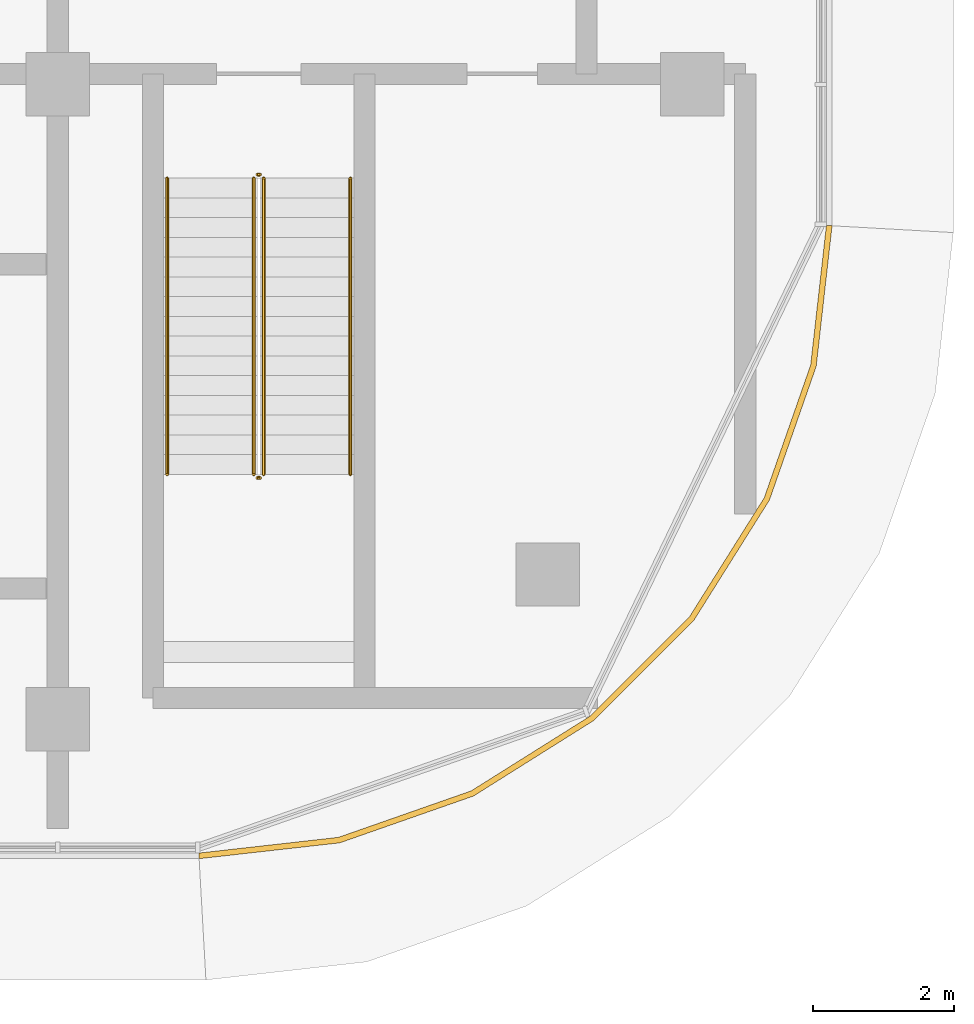
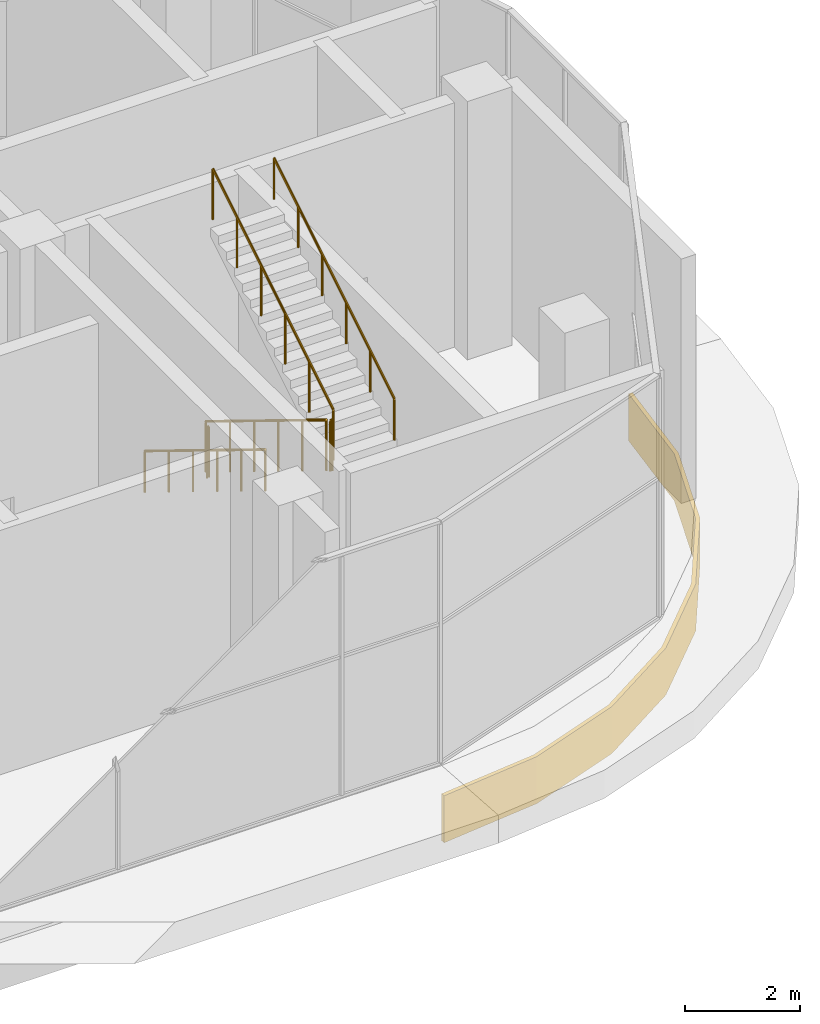
# One storey, part 22 of 23: 6 railings, 1 covering.
"""IFC4 building model written with IfcOpenShell, lengths in metres."""

from ifc_helpers import new_model, si_unit, direction, frame, origin, origin_2d, place, context, subcontext, project, spatial, polyline, circle, outline, extrude, material, layer, layer_set, type_object, element, save


model = new_model("IFC4")

# Units and contexts
model_context = context("Model", 3, precision=1e-05, world=origin(), true_north=direction((0.0, 1.0)))
body_context = subcontext(model_context, "Body", "Model", "MODEL_VIEW")
ifc_project = project(units=[si_unit("LENGTHUNIT", "METRE"), si_unit("AREAUNIT", "SQUARE_METRE"), si_unit("VOLUMEUNIT", "CUBIC_METRE"), si_unit("PLANEANGLEUNIT", "RADIAN"), si_unit("MASSUNIT", "GRAM", prefix="KILO")], contexts=[model_context])

# Site, building, storey
site_placement = place(None, origin())
site = spatial("IfcSite", under=ifc_project, at=site_placement, CompositionType="ELEMENT")
building_placement = place(site_placement, origin())
building = spatial("IfcBuilding", under=site, at=building_placement, Name="Ogive Portal Towers", CompositionType="ELEMENT")
storey_placement = place(building_placement, frame((0.0, 0.0, 249.39990234375)))
storey = spatial("IfcBuildingStorey", under=building, at=storey_placement, Name="L62", CompositionType="ELEMENT", Elevation=249.39990234375)

# Railings
ifc_material_1 = material(Name="Stainless steel balustrade", Category="steel")
railing_type_1 = type_object("IfcRailingType", Name="INT-GUARD", PredefinedType="GUARDRAIL", material=ifc_material_1)
railing_1_placement = place(storey_placement, frame((88.280029296875, 29.169921875, 0.171875)))
element("IfcRailing", 1, at=railing_1_placement, inside=storey, type_object=railing_type_1, Name="L62 ST-A4 stair guard 1", PredefinedType="GUARDRAIL", context=body_context, shape_type="SweptSolid", body=[
    extrude(circle(Radius=0.02392578125, at=origin_2d()), frame((0.0, 0.0, 1.076171875), z_axis=(0.0, -0.852242915053, 0.523146264196), x_axis=(1.0, 0.0, 0.0)), (0.0, 0.0, 1.0), 4.92822265625),
    extrude(circle(Radius=0.02099609375, at=origin_2d()), origin(), (0.0, 0.0, 1.0), 1.052001953125),
    extrude(circle(Radius=0.02099609375, at=origin_2d()), frame((0.0, -0.840087890625, 0.515625)), (0.0, 0.0, 1.0), 1.052001953125),
    extrude(circle(Radius=0.02099609375, at=origin_2d()), frame((0.0, -1.679931640625, 1.03125)), (0.0, 0.0, 1.0), 1.052001953125),
    extrude(circle(Radius=0.02099609375, at=origin_2d()), frame((0.0, -2.52001953125, 1.546875)), (0.0, 0.0, 1.0), 1.052001953125),
    extrude(circle(Radius=0.02099609375, at=origin_2d()), frame((0.0, -3.35986328125, 2.0625)), (0.0, 0.0, 1.0), 1.052001953125),
    extrude(circle(Radius=0.02099609375, at=origin_2d()), frame((0.0, -4.199951171875, 2.578125)), (0.0, 0.0, 1.0), 1.052001953125),
])
railing_2_placement = place(storey_placement, frame((88.330078125, 24.919921875, 2.75)))
element("IfcRailing", 2, at=railing_2_placement, inside=storey, type_object=railing_type_1, Name="L62 ST-A4 stair guard 2", PredefinedType="GUARDRAIL", context=body_context, shape_type="SweptSolid", body=[
    extrude(circle(Radius=0.02392578125, at=origin_2d()), frame((0.0, 0.0, 1.076171875), z_axis=(1.0, 0.0, 0.0), x_axis=(0.0, 1.0, 0.0)), (0.0, 0.0, 1.0), 0.0400390625),
    extrude(circle(Radius=0.02099609375, at=origin_2d()), origin(), (0.0, 0.0, 1.0), 1.052001953125),
    extrude(circle(Radius=0.02099609375, at=origin_2d()), frame((0.0400390625, 0.0, 0.0)), (0.0, 0.0, 1.0), 1.052001953125),
])
railing_3_placement = place(storey_placement, frame((88.419921875, 24.969970703125, 2.921875)))
element("IfcRailing", 3, at=railing_3_placement, inside=storey, type_object=railing_type_1, Name="L62 ST-A4 stair guard 3", PredefinedType="GUARDRAIL", context=body_context, shape_type="SweptSolid", body=[
    extrude(circle(Radius=0.02392578125, at=origin_2d()), frame((0.0, 0.0, 1.076171875), z_axis=(0.0, 0.852242915053, 0.523146264196), x_axis=(-1.0, 0.0, 0.0)), (0.0, 0.0, 1.0), 4.92822265625),
    extrude(circle(Radius=0.02099609375, at=origin_2d()), origin(), (0.0, 0.0, 1.0), 1.052001953125),
    extrude(circle(Radius=0.02099609375, at=origin_2d()), frame((0.0, 0.840087890625, 0.515625)), (0.0, 0.0, 1.0), 1.052001953125),
    extrude(circle(Radius=0.02099609375, at=origin_2d()), frame((0.0, 1.679931640625, 1.03125)), (0.0, 0.0, 1.0), 1.052001953125),
    extrude(circle(Radius=0.02099609375, at=origin_2d()), frame((0.0, 2.52001953125, 1.546875)), (0.0, 0.0, 1.0), 1.052001953125),
    extrude(circle(Radius=0.02099609375, at=origin_2d()), frame((0.0, 3.35986328125, 2.0625)), (0.0, 0.0, 1.0), 1.052001953125),
    extrude(circle(Radius=0.02099609375, at=origin_2d()), frame((0.0, 4.199951171875, 2.578125)), (0.0, 0.0, 1.0), 1.052001953125),
])
railing_4_placement = place(storey_placement, frame((88.330078125, 29.219970703125, 0.0)))
element("IfcRailing", 4, at=railing_4_placement, inside=storey, type_object=railing_type_1, Name="L62 ST-A4 stair guard 4", PredefinedType="GUARDRAIL", context=body_context, shape_type="SweptSolid", body=[
    extrude(circle(Radius=0.02392578125, at=origin_2d()), frame((0.0, 0.0, 1.076171875), z_axis=(1.0, 0.0, 0.0), x_axis=(0.0, 1.0, 0.0)), (0.0, 0.0, 1.0), 0.0400390625),
    extrude(circle(Radius=0.02099609375, at=origin_2d()), origin(), (0.0, 0.0, 1.0), 1.052001953125),
    extrude(circle(Radius=0.02099609375, at=origin_2d()), frame((0.0400390625, 0.0, 0.0)), (0.0, 0.0, 1.0), 1.052001953125),
])
ifc_material_2 = material(Name="Stainless steel handrail", Category="steel")
railing_type_2 = type_object("IfcRailingType", Name="INT-HANDRAIL", PredefinedType="HANDRAIL", material=ifc_material_2)
railing_5_placement = place(storey_placement, frame((87.050048828125, 29.169921875, 0.171875)))
element("IfcRailing", 5, at=railing_5_placement, inside=storey, type_object=railing_type_2, Name="L62 ST-A4 stair handrail 1", PredefinedType="HANDRAIL", context=body_context, shape_type="SweptSolid", body=[
    extrude(circle(Radius=0.02392578125, at=origin_2d()), frame((0.0, 0.0, 0.8759765625), z_axis=(0.0, -0.852242915053, 0.523146264196), x_axis=(1.0, 0.0, 0.0)), (0.0, 0.0, 1.0), 4.92822265625),
    extrude(circle(Radius=0.02099609375, at=origin_2d()), origin(), (0.0, 0.0, 1.0), 0.851806640625),
    extrude(circle(Radius=0.02099609375, at=origin_2d()), frame((0.0, -0.840087890625, 0.515625)), (0.0, 0.0, 1.0), 0.851806640625),
    extrude(circle(Radius=0.02099609375, at=origin_2d()), frame((0.0, -1.679931640625, 1.03125)), (0.0, 0.0, 1.0), 0.851806640625),
    extrude(circle(Radius=0.02099609375, at=origin_2d()), frame((0.0, -2.52001953125, 1.546875)), (0.0, 0.0, 1.0), 0.851806640625),
    extrude(circle(Radius=0.02099609375, at=origin_2d()), frame((0.0, -3.35986328125, 2.0625)), (0.0, 0.0, 1.0), 0.851806640625),
    extrude(circle(Radius=0.02099609375, at=origin_2d()), frame((0.0, -4.199951171875, 2.578125)), (0.0, 0.0, 1.0), 0.851806640625),
])
railing_6_placement = place(storey_placement, frame((89.64990234375, 24.969970703125, 2.921875)))
element("IfcRailing", 6, at=railing_6_placement, inside=storey, type_object=railing_type_2, Name="L62 ST-A4 stair handrail 2", PredefinedType="HANDRAIL", context=body_context, shape_type="SweptSolid", body=[
    extrude(circle(Radius=0.02392578125, at=origin_2d()), frame((0.0, 0.0, 0.8759765625), z_axis=(0.0, 0.852242915053, 0.523146264196), x_axis=(-1.0, 0.0, 0.0)), (0.0, 0.0, 1.0), 4.92822265625),
    extrude(circle(Radius=0.02099609375, at=origin_2d()), origin(), (0.0, 0.0, 1.0), 0.851806640625),
    extrude(circle(Radius=0.02099609375, at=origin_2d()), frame((0.0, 0.840087890625, 0.515625)), (0.0, 0.0, 1.0), 0.851806640625),
    extrude(circle(Radius=0.02099609375, at=origin_2d()), frame((0.0, 1.679931640625, 1.03125)), (0.0, 0.0, 1.0), 0.851806640625),
    extrude(circle(Radius=0.02099609375, at=origin_2d()), frame((0.0, 2.52001953125, 1.546875)), (0.0, 0.0, 1.0), 0.851806640625),
    extrude(circle(Radius=0.02099609375, at=origin_2d()), frame((0.0, 3.35986328125, 2.0625)), (0.0, 0.0, 1.0), 0.851806640625),
    extrude(circle(Radius=0.02099609375, at=origin_2d()), frame((0.0, 4.199951171875, 2.578125)), (0.0, 0.0, 1.0), 0.851806640625),
])

# Covering
ifc_material_3 = material(Name="Limestone cladding on lightweight block wall", Category="masonry")
ifc_layer = layer(ifc_material_3, 0.080078125)
ifc_layer_set = layer_set([ifc_layer], Name="STONE SPANDREL 80")
covering_type = type_object("IfcCoveringType", Name="STONE SPANDREL 80", PredefinedType="CLADDING", material=ifc_layer_set)
covering_placement = place(storey_placement, frame((0.0, 0.0, -1.599853515625)))
element("IfcCovering", 7, at=covering_placement, inside=storey, type_object=covering_type, Name="Stone spandrel A1-F06", PredefinedType="CLADDING", context=body_context, shape_type="SweptSolid", body=[
    extrude(outline(polyline([(87.5, 19.60009765625), (89.48046875, 19.8232421875), (91.361572265625, 20.4814453125), (93.049072265625, 21.541748046875), (94.458251953125, 22.950927734375), (95.5185546875, 24.638427734375), (96.1767578125, 26.51953125), (96.39990234375, 28.5), (96.47998046875, 28.49560546875), (96.25537109375, 26.501708984375), (95.591064453125, 24.603515625), (94.521240234375, 22.900634765625), (93.099365234375, 21.478759765625), (91.396484375, 20.408935546875), (89.498291015625, 19.74462890625), (87.50439453125, 19.52001953125), (87.5, 19.60009765625)])), origin(), (0.0, 0.0, 1.0), 1.0),
])

save(model, "model.ifc")
